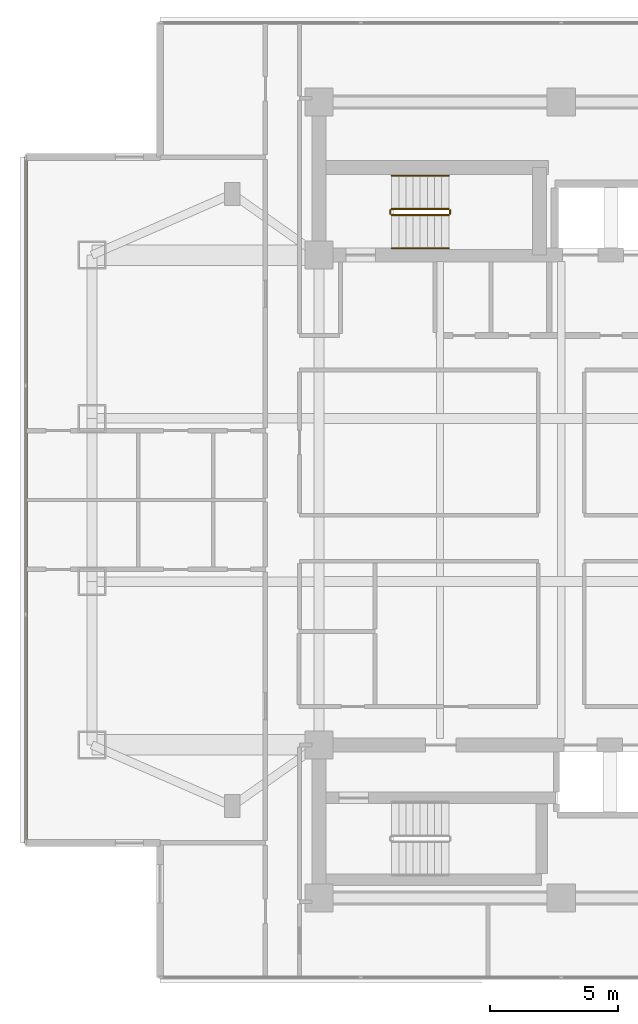
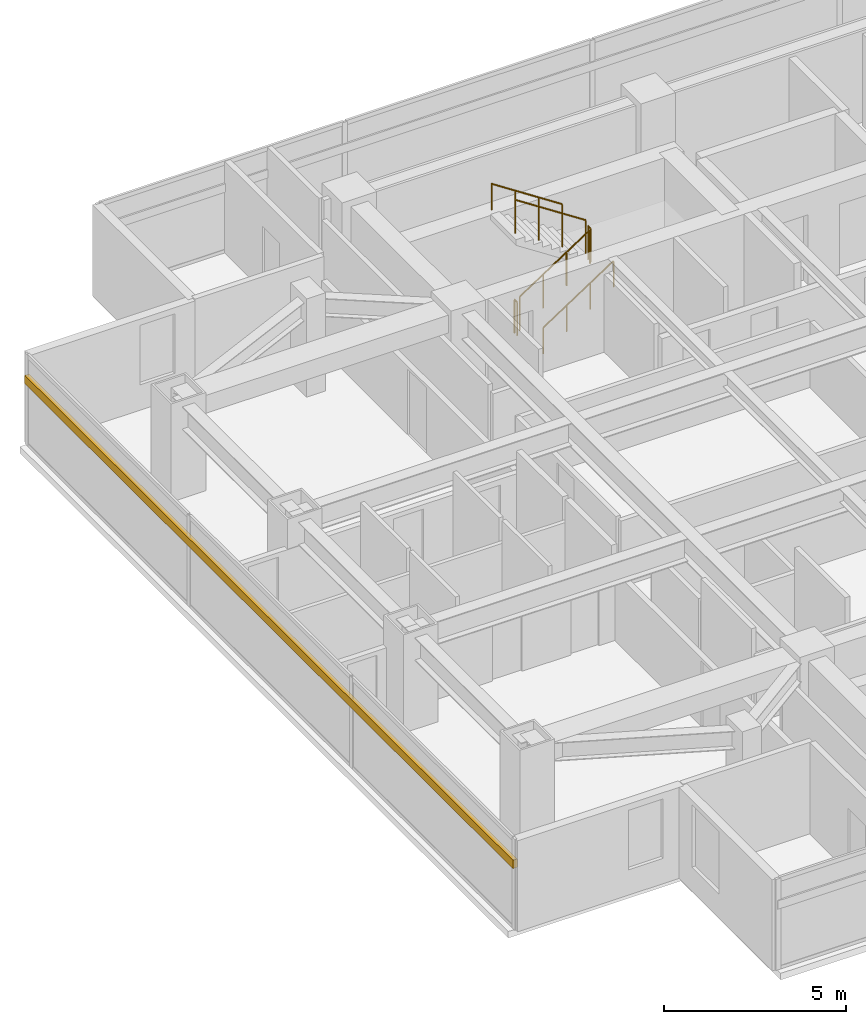
# One storey, part 21 of 25: 6 railings, 1 shading device.
"""IFC4 building model written with IfcOpenShell, lengths in metres."""

import ifcopenshell
import ifcopenshell.guid

model = None  # the IFC model being written
_history = None  # IfcOwnerHistory: only IFC2X3 demands one
_inside = {}  # id of a spatial element -> (the spatial element, [elements in it])
_under = {}  # id of a project, library or spatial element -> (it, [spatial elements below it])
_declared = {}  # id of a project -> (the project, [libraries it declares])
_typed = {}  # id of a type object -> (the type object, [elements of that type])
_made_of = {}  # id of a material, layer set ... -> (it, [elements and type objects made of it])


def new_model(schema):
    """Start an empty IFC model of exactly this schema.

    Asked for "IFC4X3", IfcOpenShell would pick the latest addendum, in which some entities
    have other attributes; the version numbers below select the first issue.
    IFC2X3 requires an IfcOwnerHistory on every rooted entity: one is made here for all.
    """
    global model, _history
    if schema == "IFC4X3":
        model = ifcopenshell.file(schema_version=(4, 3, 0, 0))
    else:
        model = ifcopenshell.file(schema=schema)
    _inside.clear()
    _under.clear()
    _declared.clear()
    _typed.clear()
    _made_of.clear()
    _history = None
    if model.schema == "IFC2X3":
        org = make("IfcOrganization", Name="unknown")
        user = make(
            "IfcPersonAndOrganization",
            ThePerson=make("IfcPerson", FamilyName="unknown"),
            TheOrganization=org,
        )
        app = make(
            "IfcApplication",
            ApplicationDeveloper=org,
            Version="unknown",
            ApplicationFullName="unknown",
            ApplicationIdentifier="unknown",
        )
        _history = make(
            "IfcOwnerHistory",
            OwningUser=user,
            OwningApplication=app,
            ChangeAction="ADDED",
            CreationDate=0,
        )
    return model


def make(cls, **values):
    """One entity of the class cls with the attributes given. An attribute that is None is left unset."""
    return model.create_entity(
        cls, **{name: value for name, value in values.items() if value is not None}
    )


def rooted(cls, **values):
    """An entity with a GlobalId (a new one), such as an element, a storey or a relation."""
    return make(cls, GlobalId=ifcopenshell.guid.new(), OwnerHistory=_history, **values)


def si_unit(unit_type, name, prefix=None):
    """IfcSIUnit, for example si_unit("LENGTHUNIT", "METRE", prefix="MILLI")."""
    return make("IfcSIUnit", UnitType=unit_type, Prefix=prefix, Name=name)


def assignment(units):
    """IfcUnitAssignment: the units of a project."""
    return None if units is None else make("IfcUnitAssignment", Units=units)


def point(xyz):
    """IfcCartesianPoint."""
    return None if xyz is None else make("IfcCartesianPoint", Coordinates=xyz)


def direction(xyz):
    """IfcDirection."""
    return None if xyz is None else make("IfcDirection", DirectionRatios=xyz)


def frame(location, z_axis=None, x_axis=None):
    """IfcAxis2Placement3D, a coordinate frame: its origin and axes. An axis left out is left unset."""
    return make(
        "IfcAxis2Placement3D",
        Location=point(location),
        Axis=direction(z_axis),
        RefDirection=direction(x_axis),
    )


def frame_2d(location, x_axis=None):
    """IfcAxis2Placement2D, a coordinate frame in the plane: its origin and x axis."""
    return make(
        "IfcAxis2Placement2D", Location=point(location), RefDirection=direction(x_axis)
    )


def origin():
    """The frame at (0, 0, 0) with its axes left unset."""
    return frame((0.0, 0.0, 0.0))


def origin_2d():
    """The frame at (0, 0) in the plane with its x axis left unset."""
    return frame_2d((0.0, 0.0))


def place(relative_to, where):
    """IfcLocalPlacement: puts the frame where relative to a parent placement (None: the world)."""
    return make(
        "IfcLocalPlacement", PlacementRelTo=relative_to, RelativePlacement=where
    )


def context(
    kind, dimensions, precision=None, world=None, true_north=None, identifier=None
):
    """IfcGeometricRepresentationContext, for example the 3D "Model" context."""
    return make(
        "IfcGeometricRepresentationContext",
        ContextIdentifier=identifier,
        ContextType=kind,
        CoordinateSpaceDimension=dimensions,
        Precision=precision,
        WorldCoordinateSystem=world,
        TrueNorth=true_north,
    )


def subcontext(parent, identifier, kind, view, scale=None):
    """IfcGeometricRepresentationSubContext, for example "Body" below "Model"."""
    return make(
        "IfcGeometricRepresentationSubContext",
        ContextIdentifier=identifier,
        ContextType=kind,
        ParentContext=parent,
        TargetScale=scale,
        TargetView=view,
    )


def project(units=None, contexts=None):
    """IfcProject with its units and contexts."""
    return rooted(
        "IfcProject",
        Name="project",
        RepresentationContexts=contexts,
        UnitsInContext=assignment(units),
    )


def spatial(cls, under=None, at=None, **own):
    """A site, building, storey or space (cls), placed at a placement, below another one or the project."""
    s = rooted(cls, ObjectPlacement=at, **own)
    if under is not None:
        _under.setdefault(under.id(), (under, []))[1].append(s)
    return s


def profile(cls, at=None, kind="AREA", **sizes):
    """A parametric profile (cls). Its sizes go by their IFC names, for example OverallWidth=200.0."""
    return make(cls, ProfileType=kind, Position=at, **sizes)


def rectangle(**sizes):
    """IfcRectangleProfileDef."""
    return profile("IfcRectangleProfileDef", **sizes)


def circle(**sizes):
    """IfcCircleProfileDef."""
    return profile("IfcCircleProfileDef", **sizes)


def extrude(swept, where, along, depth):
    """IfcExtrudedAreaSolid: the profile swept, set in the frame where, extruded along a direction by depth."""
    return make(
        "IfcExtrudedAreaSolid",
        SweptArea=swept,
        Position=where,
        ExtrudedDirection=direction(along),
        Depth=depth,
    )


def shape(context_of_items, identifier, shape_type, items):
    """IfcShapeRepresentation: the items that make up one representation, for example the "Body"."""
    return make(
        "IfcShapeRepresentation",
        ContextOfItems=context_of_items,
        RepresentationIdentifier=identifier,
        RepresentationType=shape_type,
        Items=items,
    )


def material(Name=None, Category=None):
    """IfcMaterial."""
    return make("IfcMaterial", Name=Name, Category=Category)


def material_profile(
    of_material, cross_section, Name=None, Category=None, Priority=None
):
    """IfcMaterialProfile: a cross section and its material."""
    return make(
        "IfcMaterialProfile",
        Name=Name,
        Material=of_material,
        Profile=cross_section,
        Priority=Priority,
        Category=Category,
    )


def profile_set(profiles, Name=None, composite=None):
    """IfcMaterialProfileSet."""
    return make(
        "IfcMaterialProfileSet",
        Name=Name,
        MaterialProfiles=profiles,
        CompositeProfile=composite,
    )


def made_of(thing, what):
    """Note that an element or type object is made of a material, layer set ...; save() writes the relation."""
    if what is not None:
        _made_of.setdefault(what.id(), (what, []))[1].append(thing)
    return thing


def type_object(cls, material=None, **own):
    """A type object (cls), such as IfcWallType, which elements share."""
    return made_of(rooted(cls, **own), material)


def element(
    cls,
    number,
    at=None,
    inside=None,
    cuts=None,
    type_object=None,
    material=None,
    context=None,
    identifier="Body",
    shape_type=None,
    held_by="IfcProductDefinitionShape",
    body=None,
    shapes=None,
    **own,
):
    """One element of the class cls, such as IfcWall. Its Tag is "e" and its number.

    at: its placement. inside: the storey or other place that contains it. cuts: it is an
    opening in that element (IfcRelVoidsElement). A single representation is given by context,
    identifier, shape_type and body (its items); several are given by shapes. held_by: the class
    of the entity that holds the representations. save() writes the other relations.
    """
    e = rooted(cls, Tag="e%d" % number, ObjectPlacement=at, **own)
    if body is not None:
        shapes = [shape(context, identifier, shape_type, body)]
    if shapes is not None:
        e.Representation = make(held_by, Representations=shapes)
    if inside is not None:
        _inside.setdefault(inside.id(), (inside, []))[1].append(e)
    if cuts is not None:
        rooted(
            "IfcRelVoidsElement", RelatingBuildingElement=cuts, RelatedOpeningElement=e
        )
    if type_object is not None:
        _typed.setdefault(type_object.id(), (type_object, []))[1].append(e)
    return made_of(e, material)


def aggregate(whole, parts):
    """IfcRelAggregates: a whole, such as a stair, and the parts it consists of."""
    return rooted("IfcRelAggregates", RelatingObject=whole, RelatedObjects=parts)


def save(model, path):
    """Write the relations noted so far, then the file.

    IfcRelAggregates (storeys below a building ...), IfcRelContainedInSpatialStructure (elements
    in a storey), IfcRelDefinesByType, IfcRelAssociatesMaterial and IfcRelDeclares: one each for
    every whole, place, type object, material and project.
    """
    for whole, parts in _under.values():
        aggregate(whole, parts)
    for where, things in _inside.values():
        rooted(
            "IfcRelContainedInSpatialStructure",
            RelatedElements=things,
            RelatingStructure=where,
        )
    for kind, things in _typed.values():
        rooted("IfcRelDefinesByType", RelatedObjects=things, RelatingType=kind)
    for what, things in _made_of.values():
        rooted("IfcRelAssociatesMaterial", RelatedObjects=things, RelatingMaterial=what)
    for by, libraries in _declared.values():
        rooted("IfcRelDeclares", RelatingContext=by, RelatedDefinitions=libraries)
    model.write(path)


model = new_model("IFC4")

# Units and contexts
model_context = context("Model", 3, precision=1e-05, world=origin(), true_north=direction((0.0, 1.0)))
body_context = subcontext(model_context, "Body", "Model", "MODEL_VIEW")
ifc_project = project(units=[si_unit("LENGTHUNIT", "METRE"), si_unit("AREAUNIT", "SQUARE_METRE"), si_unit("VOLUMEUNIT", "CUBIC_METRE"), si_unit("PLANEANGLEUNIT", "RADIAN"), si_unit("MASSUNIT", "GRAM", prefix="KILO")], contexts=[model_context])

# Site, building, storey
site_placement = place(None, origin())
site = spatial("IfcSite", under=ifc_project, at=site_placement, CompositionType="ELEMENT")
building_placement = place(site_placement, origin())
building = spatial("IfcBuilding", under=site, at=building_placement, Name="Mirazonda Arch Towers", CompositionType="ELEMENT")
storey_placement = place(building_placement, frame((0.0, 0.0, 131.300048828125)))
storey = spatial("IfcBuildingStorey", under=building, at=storey_placement, Name="L37", CompositionType="ELEMENT", Elevation=131.300048828125)

# Shading device
ifc_material_1 = material(Name="Kiln-Fired Architectural Terracotta", Category="masonry")
ifc_material_profile = material_profile(ifc_material_1, rectangle(XDim=0.139892578125, YDim=0.280029296875, at=origin_2d()), Name="TERRA-BAG-140x280")
ifc_profile_set = profile_set([ifc_material_profile], Name="Kiln-Fired Architectural Terracotta")
shading_device_type = type_object("IfcShadingDeviceType", Name="BAGUETTE-3", PredefinedType="USERDEFINED", material=ifc_profile_set)
shading_device_placement = place(storey_placement, frame((-0.5, 41.44189453125, 2.203125), z_axis=(0.0, -1.0, 0.0), x_axis=(1.0, 0.0, 0.0)))
element("IfcShadingDevice", 1, at=shading_device_placement, inside=storey, type_object=shading_device_type, Name="L37 Glazed Terracotta Sun-Screen Baguette CW-L37-T1-W", ObjectType="BAGUETTE", PredefinedType="USERDEFINED", context=body_context, shape_type="SweptSolid", body=[
    extrude(rectangle(XDim=0.139892578125, YDim=0.280029296875, at=origin_2d()), origin(), (0.0, 0.0, 1.0), 26.8837890625),
])

# Railings
ifc_material_2 = material(Name="Architectural Brushed Steel S355", Category="steel")
railing_type_1 = type_object("IfcRailingType", Name="GUARD-STAIR-1120", PredefinedType="GUARDRAIL", material=ifc_material_2)
railing_1_placement = place(storey_placement, frame((13.85009765625, 39.169921875, 0.183349609375)))
element("IfcRailing", 2, at=railing_1_placement, inside=storey, type_object=railing_type_1, Name="L37 ST-T1N stair guard 1", PredefinedType="GUARDRAIL", context=body_context, shape_type="SweptSolid", body=[
    extrude(circle(Radius=0.02392578125, at=origin_2d()), frame((0.0, 0.0, 1.1259765625), z_axis=(0.836636935527, 0.0, 0.547757827979), x_axis=(0.0, 1.0, 0.0)), (0.0, 0.0, 1.0), 2.677490234375),
    extrude(circle(Radius=0.02099609375, at=origin_2d()), origin(), (0.0, 0.0, 1.0), 1.101806640625),
    extrude(circle(Radius=0.02099609375, at=origin_2d()), frame((0.74658203125, 0.0, 0.48876953125)), (0.0, 0.0, 1.0), 1.101806640625),
    extrude(circle(Radius=0.02099609375, at=origin_2d()), frame((1.493408203125, 0.0, 0.977783203125)), (0.0, 0.0, 1.0), 1.101806640625),
    extrude(circle(Radius=0.02099609375, at=origin_2d()), frame((2.239990234375, 0.0, 1.466552734375)), (0.0, 0.0, 1.0), 1.101806640625),
])
railing_2_placement = place(storey_placement, frame((16.139892578125, 39.219970703125, 1.64990234375)))
element("IfcRailing", 3, at=railing_2_placement, inside=storey, type_object=railing_type_1, Name="L37 ST-T1N stair guard 2", PredefinedType="GUARDRAIL", context=body_context, shape_type="SweptSolid", body=[
    extrude(circle(Radius=0.02392578125, at=origin_2d()), frame((0.0, 0.0, 1.1259765625), z_axis=(0.0, 1.0, 0.0), x_axis=(-1.0, 0.0, 0.0)), (0.0, 0.0, 1.0), 0.14013671875),
    extrude(circle(Radius=0.02099609375, at=origin_2d()), origin(), (0.0, 0.0, 1.0), 1.101806640625),
    extrude(circle(Radius=0.02099609375, at=origin_2d()), frame((0.0, 0.14013671875, 0.0)), (0.0, 0.0, 1.0), 1.101806640625),
])
railing_3_placement = place(storey_placement, frame((16.090087890625, 39.409912109375, 1.833251953125)))
element("IfcRailing", 4, at=railing_3_placement, inside=storey, type_object=railing_type_1, Name="L37 ST-T1N stair guard 3", PredefinedType="GUARDRAIL", context=body_context, shape_type="SweptSolid", body=[
    extrude(circle(Radius=0.02392578125, at=origin_2d()), frame((0.0, 0.0, 1.1259765625), z_axis=(-0.836595146698, 0.0, 0.547821650285), x_axis=(0.0, -1.0, 0.0)), (0.0, 0.0, 1.0), 2.677490234375),
    extrude(circle(Radius=0.02099609375, at=origin_2d()), origin(), (0.0, 0.0, 1.0), 1.101806640625),
    extrude(circle(Radius=0.02099609375, at=origin_2d()), frame((-0.74658203125, 0.0, 0.489013671875)), (0.0, 0.0, 1.0), 1.101806640625),
    extrude(circle(Radius=0.02099609375, at=origin_2d()), frame((-1.493408203125, 0.0, 0.977783203125)), (0.0, 0.0, 1.0), 1.101806640625),
    extrude(circle(Radius=0.02099609375, at=origin_2d()), frame((-2.239990234375, 0.0, 1.466796875)), (0.0, 0.0, 1.0), 1.101806640625),
])
railing_4_placement = place(storey_placement, frame((13.800048828125, 39.219970703125, 0.0)))
element("IfcRailing", 5, at=railing_4_placement, inside=storey, type_object=railing_type_1, Name="L37 ST-T1N stair guard 4", PredefinedType="GUARDRAIL", context=body_context, shape_type="SweptSolid", body=[
    extrude(circle(Radius=0.02392578125, at=origin_2d()), frame((0.0, 0.0, 1.1259765625), z_axis=(0.0, 1.0, 0.0), x_axis=(-1.0, 0.0, 0.0)), (0.0, 0.0, 1.0), 0.14013671875),
    extrude(circle(Radius=0.02099609375, at=origin_2d()), origin(), (0.0, 0.0, 1.0), 1.101806640625),
    extrude(circle(Radius=0.02099609375, at=origin_2d()), frame((0.0, 0.14013671875, 0.0)), (0.0, 0.0, 1.0), 1.101806640625),
])
railing_type_2 = type_object("IfcRailingType", Name="HANDRAIL-915", PredefinedType="HANDRAIL", material=ifc_material_2)
railing_5_placement = place(storey_placement, frame((13.85009765625, 37.8701171875, 0.183349609375)))
element("IfcRailing", 6, at=railing_5_placement, inside=storey, type_object=railing_type_2, Name="L37 ST-T1N stair handrail 1", PredefinedType="HANDRAIL", context=body_context, shape_type="SweptSolid", body=[
    extrude(circle(Radius=0.02392578125, at=origin_2d()), frame((0.0, 0.0, 0.8759765625), z_axis=(0.836636935527, 0.0, 0.547757827979), x_axis=(0.0, 1.0, 0.0)), (0.0, 0.0, 1.0), 2.677490234375),
    extrude(circle(Radius=0.02099609375, at=origin_2d()), origin(), (0.0, 0.0, 1.0), 0.851806640625),
    extrude(circle(Radius=0.02099609375, at=origin_2d()), frame((0.74658203125, 0.0, 0.48876953125)), (0.0, 0.0, 1.0), 0.851806640625),
    extrude(circle(Radius=0.02099609375, at=origin_2d()), frame((1.493408203125, 0.0, 0.977783203125)), (0.0, 0.0, 1.0), 0.851806640625),
    extrude(circle(Radius=0.02099609375, at=origin_2d()), frame((2.239990234375, 0.0, 1.466552734375)), (0.0, 0.0, 1.0), 0.851806640625),
])
railing_6_placement = place(storey_placement, frame((16.090087890625, 40.7099609375, 1.833251953125)))
element("IfcRailing", 7, at=railing_6_placement, inside=storey, type_object=railing_type_2, Name="L37 ST-T1N stair handrail 2", PredefinedType="HANDRAIL", context=body_context, shape_type="SweptSolid", body=[
    extrude(circle(Radius=0.02392578125, at=origin_2d()), frame((0.0, 0.0, 0.8759765625), z_axis=(-0.836595146698, 0.0, 0.547821650285), x_axis=(0.0, -1.0, 0.0)), (0.0, 0.0, 1.0), 2.677490234375),
    extrude(circle(Radius=0.02099609375, at=origin_2d()), origin(), (0.0, 0.0, 1.0), 0.851806640625),
    extrude(circle(Radius=0.02099609375, at=origin_2d()), frame((-0.74658203125, 0.0, 0.489013671875)), (0.0, 0.0, 1.0), 0.851806640625),
    extrude(circle(Radius=0.02099609375, at=origin_2d()), frame((-1.493408203125, 0.0, 0.977783203125)), (0.0, 0.0, 1.0), 0.851806640625),
    extrude(circle(Radius=0.02099609375, at=origin_2d()), frame((-2.239990234375, 0.0, 1.466796875)), (0.0, 0.0, 1.0), 0.851806640625),
])

save(model, "model.ifc")
